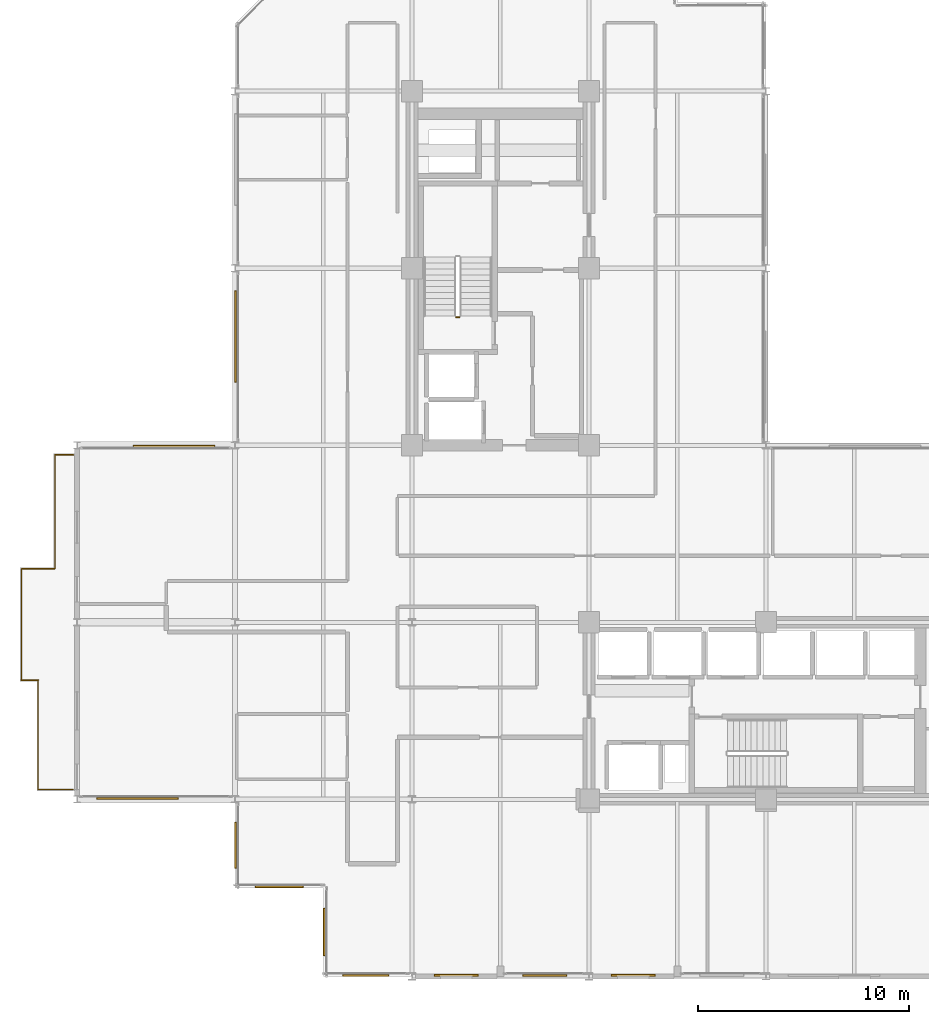
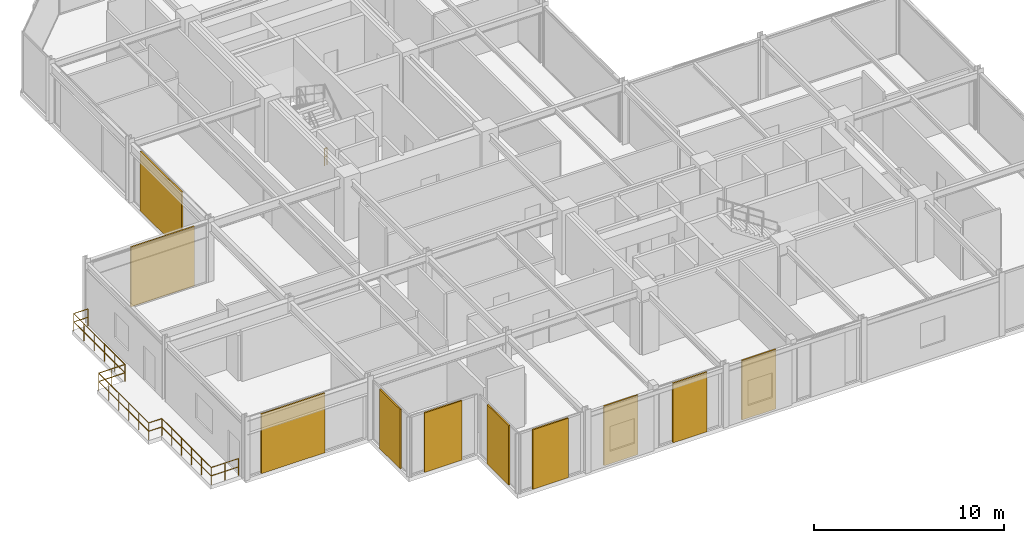
# One storey, part 27 of 29: 10 coverings, 8 railings.
"""IFC4 building model written with IfcOpenShell, lengths in metres."""

from ifc_helpers import new_model, si_unit, direction, frame, origin, origin_2d, place, context, subcontext, project, spatial, rectangle, circle, extrude, material, layer, layer_set, type_object, element, save


model = new_model("IFC4")

# Units and contexts
model_context = context("Model", 3, precision=1e-05, world=origin(), true_north=direction((0.0, 1.0)))
body_context = subcontext(model_context, "Body", "Model", "MODEL_VIEW")
ifc_project = project(units=[si_unit("LENGTHUNIT", "METRE"), si_unit("AREAUNIT", "SQUARE_METRE"), si_unit("VOLUMEUNIT", "CUBIC_METRE"), si_unit("PLANEANGLEUNIT", "RADIAN"), si_unit("MASSUNIT", "GRAM", prefix="KILO")], contexts=[model_context])

# Site, building, storey
site_placement = place(None, origin())
site = spatial("IfcSite", under=ifc_project, at=site_placement, CompositionType="ELEMENT")
building_placement = place(site_placement, origin())
building = spatial("IfcBuilding", under=site, at=building_placement, Name="Nerrivon Quay Data Exchange", CompositionType="ELEMENT")
storey_placement = place(building_placement, frame((0.0, 0.0, 200.10009765625)))
storey = spatial("IfcBuildingStorey", under=building, at=storey_placement, Name="L47", CompositionType="ELEMENT", Elevation=200.10009765625)

# Coverings
ifc_material_1 = material(Name="Architectural terracotta ceramic", Category="masonry")
ifc_layer = layer(ifc_material_1, 0.090087890625)
ifc_layer_set = layer_set([ifc_layer], Name="Architectural terracotta ceramic")
covering_type = type_object("IfcCoveringType", Name="COV-SCR-TERR", PredefinedType="CLADDING", material=ifc_layer_set)
covering_1_placement = place(storey_placement, frame((-2.8994140625, 25.155029296875, 0.0), z_axis=(0.0, 0.0, 1.0), x_axis=(1.0, 0.0, 0.0)))
element("IfcCovering", 1, at=covering_1_placement, inside=storey, type_object=covering_type, Name="L47 Perforated Terracotta SOLAR SCREEN Cassette", PredefinedType="CLADDING", context=body_context, shape_type="SweptSolid", body=[
    extrude(rectangle(XDim=3.8720703125, YDim=0.090087890625, at=origin_2d()), origin(), (0.0, 0.0, 1.0), 3.824951171875),
])
covering_2_placement = place(storey_placement, frame((0.044921875, 30.365966796875, 0.0), z_axis=(0.0, 0.0, 1.0), x_axis=(0.0, 1.0, 0.0)))
element("IfcCovering", 2, at=covering_2_placement, inside=storey, type_object=covering_type, Name="L47 Perforated Terracotta SOLAR SCREEN Cassette", PredefinedType="CLADDING", context=body_context, shape_type="SweptSolid", body=[
    extrude(rectangle(XDim=4.346923828125, YDim=0.090087890625, at=origin_2d()), origin(), (0.0, 0.0, 1.0), 3.824951171875),
])
for number, where, z_axis, x_axis, name in (
    (3, (18.89990234375, 0.044921875, 0.0), (0.0, 0.0, 1.0), (-1.0, 0.0, 0.0), "L47 Perforated Terracotta SOLAR SCREEN Cassette"),
    (4, (14.699951171875, 0.044921875, 0.0), (0.0, 0.0, 1.0), (-1.0, 0.0, 0.0), "L47 Perforated Terracotta SOLAR SCREEN Cassette"),
    (5, (10.5, 0.044921875, 0.0), (0.0, 0.0, 1.0), (-1.0, 0.0, 0.0), "L47 Perforated Terracotta SOLAR SCREEN Cassette"),
):
    element("IfcCovering", number, at=place(storey_placement, frame(where, z_axis=z_axis, x_axis=x_axis)), inside=storey, type_object=covering_type, Name=name, PredefinedType="CLADDING", context=body_context, shape_type="SweptSolid", body=[
        extrude(rectangle(XDim=2.0791015625, YDim=0.090087890625, at=origin_2d()), origin(), (0.0, 0.0, 1.0), 3.824951171875),
    ])
covering_3_placement = place(storey_placement, frame((6.21240234375, 0.044921875, 0.0), z_axis=(0.0, 0.0, 1.0), x_axis=(-1.0, 0.0, 0.0)))
element("IfcCovering", 6, at=covering_3_placement, inside=storey, type_object=covering_type, Name="L47 Perforated Terracotta SOLAR SCREEN Cassette", PredefinedType="CLADDING", context=body_context, shape_type="SweptSolid", body=[
    extrude(rectangle(XDim=2.173095703125, YDim=0.090087890625, at=origin_2d()), origin(), (0.0, 0.0, 1.0), 3.824951171875),
])
for number, where, z_axis, x_axis, name in (
    (7, (4.2451171875, 2.10009765625, 0.0), (0.0, 0.0, 1.0), (0.0, 1.0, 0.0), "L47 Perforated Terracotta SOLAR SCREEN Cassette"),
    (8, (2.10009765625, 4.2451171875, 0.0), (0.0, 0.0, 1.0), (-1.0, 0.0, 0.0), "L47 Perforated Terracotta SOLAR SCREEN Cassette"),
):
    element("IfcCovering", number, at=place(storey_placement, frame(where, z_axis=z_axis, x_axis=x_axis)), inside=storey, type_object=covering_type, Name=name, PredefinedType="CLADDING", context=body_context, shape_type="SweptSolid", body=[
        extrude(rectangle(XDim=2.26806640625, YDim=0.090087890625, at=origin_2d()), origin(), (0.0, 0.0, 1.0), 3.824951171875),
    ])
covering_4_placement = place(storey_placement, frame((0.044921875, 6.21240234375, 0.0), z_axis=(0.0, 0.0, 1.0), x_axis=(0.0, 1.0, 0.0)))
element("IfcCovering", 9, at=covering_4_placement, inside=storey, type_object=covering_type, Name="L47 Perforated Terracotta SOLAR SCREEN Cassette", PredefinedType="CLADDING", context=body_context, shape_type="SweptSolid", body=[
    extrude(rectangle(XDim=2.173095703125, YDim=0.090087890625, at=origin_2d()), origin(), (0.0, 0.0, 1.0), 3.824951171875),
])
covering_5_placement = place(storey_placement, frame((-4.6201171875, 8.445068359375, 0.0), z_axis=(0.0, 0.0, 1.0), x_axis=(-1.0, 0.0, 0.0)))
element("IfcCovering", 10, at=covering_5_placement, inside=storey, type_object=covering_type, Name="L47 Perforated Terracotta SOLAR SCREEN Cassette", PredefinedType="CLADDING", context=body_context, shape_type="SweptSolid", body=[
    extrude(rectangle(XDim=3.8720703125, YDim=0.090087890625, at=origin_2d()), origin(), (0.0, 0.0, 1.0), 3.824951171875),
])

# Railings
ifc_material_2 = material(Name="Steel Grade C350L0 (350 MPa)", Category="steel")
railing_type_1 = type_object("IfcRailingType", Name="RAIL-GUARD-GR2", PredefinedType="BALUSTRADE", material=ifc_material_2)
railing_1_placement = place(storey_placement, frame((-7.679931640625, 8.860107421875, 0.0)))
element("IfcRailing", 11, at=railing_1_placement, inside=storey, type_object=railing_type_1, Name="L47 Verandah Balcony Guard 1.1 1", PredefinedType="BALUSTRADE", context=body_context, shape_type="SweptSolid", body=[
    extrude(circle(Radius=0.02392578125, at=origin_2d()), frame((0.0, 0.0, 1.09619140625), z_axis=(-1.0, 0.0, 0.0), x_axis=(0.0, -1.0, 0.0)), (0.0, 0.0, 1.0), 1.66015625),
    extrude(circle(Radius=0.02392578125, at=origin_2d()), frame((0.0, 0.0, 0.56005859375), z_axis=(-1.0, 0.0, 0.0), x_axis=(0.0, -1.0, 0.0)), (0.0, 0.0, 1.0), 1.66015625),
    extrude(circle(Radius=0.02099609375, at=origin_2d()), origin(), (0.0, 0.0, 1.0), 1.072021484375),
    extrude(circle(Radius=0.02099609375, at=origin_2d()), frame((-0.830078125, 0.0, 0.0)), (0.0, 0.0, 1.0), 1.072021484375),
    extrude(circle(Radius=0.02099609375, at=origin_2d()), frame((-1.66015625, 0.0, 0.0)), (0.0, 0.0, 1.0), 1.072021484375),
])
railing_2_placement = place(storey_placement, frame((-9.340087890625, 8.860107421875, 0.0)))
element("IfcRailing", 12, at=railing_2_placement, inside=storey, type_object=railing_type_1, Name="L47 Verandah Balcony Guard 1.2 1", PredefinedType="BALUSTRADE", context=body_context, shape_type="SweptSolid", body=[
    extrude(circle(Radius=0.02392578125, at=origin_2d()), frame((0.0, 0.0, 1.09619140625), z_axis=(0.0, 1.0, 0.0), x_axis=(-1.0, 0.0, 0.0)), (0.0, 0.0, 1.0), 5.199951171875),
    extrude(circle(Radius=0.02392578125, at=origin_2d()), frame((0.0, 0.0, 0.56005859375), z_axis=(0.0, 1.0, 0.0), x_axis=(-1.0, 0.0, 0.0)), (0.0, 0.0, 1.0), 5.199951171875),
    extrude(circle(Radius=0.02099609375, at=origin_2d()), origin(), (0.0, 0.0, 1.0), 1.072021484375),
    extrude(circle(Radius=0.02099609375, at=origin_2d()), frame((0.0, 1.0400390625, 0.0)), (0.0, 0.0, 1.0), 1.072021484375),
    extrude(circle(Radius=0.02099609375, at=origin_2d()), frame((0.0, 2.080078125, 0.0)), (0.0, 0.0, 1.0), 1.072021484375),
    extrude(circle(Radius=0.02099609375, at=origin_2d()), frame((0.0, 3.119873046875, 0.0)), (0.0, 0.0, 1.0), 1.072021484375),
    extrude(circle(Radius=0.02099609375, at=origin_2d()), frame((0.0, 4.159912109375, 0.0)), (0.0, 0.0, 1.0), 1.072021484375),
    extrude(circle(Radius=0.02099609375, at=origin_2d()), frame((0.0, 5.199951171875, 0.0)), (0.0, 0.0, 1.0), 1.072021484375),
])
railing_3_placement = place(storey_placement, frame((-9.340087890625, 14.06005859375, 0.0)))
element("IfcRailing", 13, at=railing_3_placement, inside=storey, type_object=railing_type_1, Name="L47 Verandah Balcony Guard 1.3 1", PredefinedType="BALUSTRADE", context=body_context, shape_type="SweptSolid", body=[
    extrude(circle(Radius=0.02392578125, at=origin_2d()), frame((0.0, 0.0, 1.09619140625), z_axis=(-1.0, 0.0, 0.0), x_axis=(0.0, -1.0, 0.0)), (0.0, 0.0, 1.0), 0.7998046875),
    extrude(circle(Radius=0.02392578125, at=origin_2d()), frame((0.0, 0.0, 0.56005859375), z_axis=(-1.0, 0.0, 0.0), x_axis=(0.0, -1.0, 0.0)), (0.0, 0.0, 1.0), 0.7998046875),
    extrude(circle(Radius=0.02099609375, at=origin_2d()), origin(), (0.0, 0.0, 1.0), 1.072021484375),
    extrude(circle(Radius=0.02099609375, at=origin_2d()), frame((-0.7998046875, 0.0, 0.0)), (0.0, 0.0, 1.0), 1.072021484375),
])
railing_4_placement = place(storey_placement, frame((-10.139892578125, 14.06005859375, 0.0)))
element("IfcRailing", 14, at=railing_4_placement, inside=storey, type_object=railing_type_1, Name="L47 Verandah Balcony Guard 1.4 1", PredefinedType="BALUSTRADE", context=body_context, shape_type="SweptSolid", body=[
    extrude(circle(Radius=0.02392578125, at=origin_2d()), frame((0.0, 0.0, 1.09619140625), z_axis=(0.0, 1.0, 0.0), x_axis=(-1.0, 0.0, 0.0)), (0.0, 0.0, 1.0), 5.280029296875),
    extrude(circle(Radius=0.02392578125, at=origin_2d()), frame((0.0, 0.0, 0.56005859375), z_axis=(0.0, 1.0, 0.0), x_axis=(-1.0, 0.0, 0.0)), (0.0, 0.0, 1.0), 5.280029296875),
    extrude(circle(Radius=0.02099609375, at=origin_2d()), origin(), (0.0, 0.0, 1.0), 1.072021484375),
    extrude(circle(Radius=0.02099609375, at=origin_2d()), frame((0.0, 1.055908203125, 0.0)), (0.0, 0.0, 1.0), 1.072021484375),
    extrude(circle(Radius=0.02099609375, at=origin_2d()), frame((0.0, 2.112060546875, 0.0)), (0.0, 0.0, 1.0), 1.072021484375),
    extrude(circle(Radius=0.02099609375, at=origin_2d()), frame((0.0, 3.16796875, 0.0)), (0.0, 0.0, 1.0), 1.072021484375),
    extrude(circle(Radius=0.02099609375, at=origin_2d()), frame((0.0, 4.22412109375, 0.0)), (0.0, 0.0, 1.0), 1.072021484375),
    extrude(circle(Radius=0.02099609375, at=origin_2d()), frame((0.0, 5.280029296875, 0.0)), (0.0, 0.0, 1.0), 1.072021484375),
])
railing_5_placement = place(storey_placement, frame((-10.139892578125, 19.340087890625, 0.0)))
element("IfcRailing", 15, at=railing_5_placement, inside=storey, type_object=railing_type_1, Name="L47 Verandah Balcony Guard 1.5 1", PredefinedType="BALUSTRADE", context=body_context, shape_type="SweptSolid", body=[
    extrude(circle(Radius=0.02392578125, at=origin_2d()), frame((0.0, 0.0, 1.09619140625), z_axis=(1.0, 0.0, 0.0), x_axis=(0.0, 1.0, 0.0)), (0.0, 0.0, 1.0), 1.599853515625),
    extrude(circle(Radius=0.02392578125, at=origin_2d()), frame((0.0, 0.0, 0.56005859375), z_axis=(1.0, 0.0, 0.0), x_axis=(0.0, 1.0, 0.0)), (0.0, 0.0, 1.0), 1.599853515625),
    extrude(circle(Radius=0.02099609375, at=origin_2d()), origin(), (0.0, 0.0, 1.0), 1.072021484375),
    extrude(circle(Radius=0.02099609375, at=origin_2d()), frame((0.7998046875, 0.0, 0.0)), (0.0, 0.0, 1.0), 1.072021484375),
    extrude(circle(Radius=0.02099609375, at=origin_2d()), frame((1.599853515625, 0.0, 0.0)), (0.0, 0.0, 1.0), 1.072021484375),
])
railing_6_placement = place(storey_placement, frame((-8.5400390625, 19.340087890625, 0.0)))
element("IfcRailing", 16, at=railing_6_placement, inside=storey, type_object=railing_type_1, Name="L47 Verandah Balcony Guard 1.6 1", PredefinedType="BALUSTRADE", context=body_context, shape_type="SweptSolid", body=[
    extrude(circle(Radius=0.02392578125, at=origin_2d()), frame((0.0, 0.0, 1.09619140625), z_axis=(0.0, 1.0, 0.0), x_axis=(-1.0, 0.0, 0.0)), (0.0, 0.0, 1.0), 5.39990234375),
    extrude(circle(Radius=0.02392578125, at=origin_2d()), frame((0.0, 0.0, 0.56005859375), z_axis=(0.0, 1.0, 0.0), x_axis=(-1.0, 0.0, 0.0)), (0.0, 0.0, 1.0), 5.39990234375),
    extrude(circle(Radius=0.02099609375, at=origin_2d()), origin(), (0.0, 0.0, 1.0), 1.072021484375),
    extrude(circle(Radius=0.02099609375, at=origin_2d()), frame((0.0, 1.080078125, 0.0)), (0.0, 0.0, 1.0), 1.072021484375),
    extrude(circle(Radius=0.02099609375, at=origin_2d()), frame((0.0, 2.159912109375, 0.0)), (0.0, 0.0, 1.0), 1.072021484375),
    extrude(circle(Radius=0.02099609375, at=origin_2d()), frame((0.0, 3.239990234375, 0.0)), (0.0, 0.0, 1.0), 1.072021484375),
    extrude(circle(Radius=0.02099609375, at=origin_2d()), frame((0.0, 4.31982421875, 0.0)), (0.0, 0.0, 1.0), 1.072021484375),
    extrude(circle(Radius=0.02099609375, at=origin_2d()), frame((0.0, 5.39990234375, 0.0)), (0.0, 0.0, 1.0), 1.072021484375),
])
railing_7_placement = place(storey_placement, frame((-8.5400390625, 24.739990234375, 0.0)))
element("IfcRailing", 17, at=railing_7_placement, inside=storey, type_object=railing_type_1, Name="L47 Verandah Balcony Guard 1.7 1", PredefinedType="BALUSTRADE", context=body_context, shape_type="SweptSolid", body=[
    extrude(circle(Radius=0.02392578125, at=origin_2d()), frame((0.0, 0.0, 1.09619140625), z_axis=(1.0, 0.0, 0.0), x_axis=(0.0, 1.0, 0.0)), (0.0, 0.0, 1.0), 0.860107421875),
    extrude(circle(Radius=0.02392578125, at=origin_2d()), frame((0.0, 0.0, 0.56005859375), z_axis=(1.0, 0.0, 0.0), x_axis=(0.0, 1.0, 0.0)), (0.0, 0.0, 1.0), 0.860107421875),
    extrude(circle(Radius=0.02099609375, at=origin_2d()), origin(), (0.0, 0.0, 1.0), 1.072021484375),
    extrude(circle(Radius=0.02099609375, at=origin_2d()), frame((0.860107421875, 0.0, 0.0)), (0.0, 0.0, 1.0), 1.072021484375),
])
railing_type_2 = type_object("IfcRailingType", Name="RAIL-STAIR-GR1", PredefinedType="BALUSTRADE", material=ifc_material_2)
railing_8_placement = place(storey_placement, frame((10.64990234375, 31.280029296875, 0.0)))
element("IfcRailing", 18, at=railing_8_placement, inside=storey, type_object=railing_type_2, Name="L47 ST01 stair guard 4", PredefinedType="BALUSTRADE", context=body_context, shape_type="SweptSolid", body=[
    extrude(circle(Radius=0.02392578125, at=origin_2d()), frame((0.0, 0.0, 1.076171875), z_axis=(-1.0, 0.0, 0.0), x_axis=(0.0, -1.0, 0.0)), (0.0, 0.0, 1.0), 0.14990234375),
    extrude(circle(Radius=0.02392578125, at=origin_2d()), frame((0.0, 0.0, 0.550048828125), z_axis=(-1.0, 0.0, 0.0), x_axis=(0.0, -1.0, 0.0)), (0.0, 0.0, 1.0), 0.14990234375),
    extrude(circle(Radius=0.02099609375, at=origin_2d()), origin(), (0.0, 0.0, 1.0), 1.052001953125),
    extrude(circle(Radius=0.02099609375, at=origin_2d()), frame((-0.14990234375, 0.0, 0.0)), (0.0, 0.0, 1.0), 1.052001953125),
])

save(model, "model.ifc")
